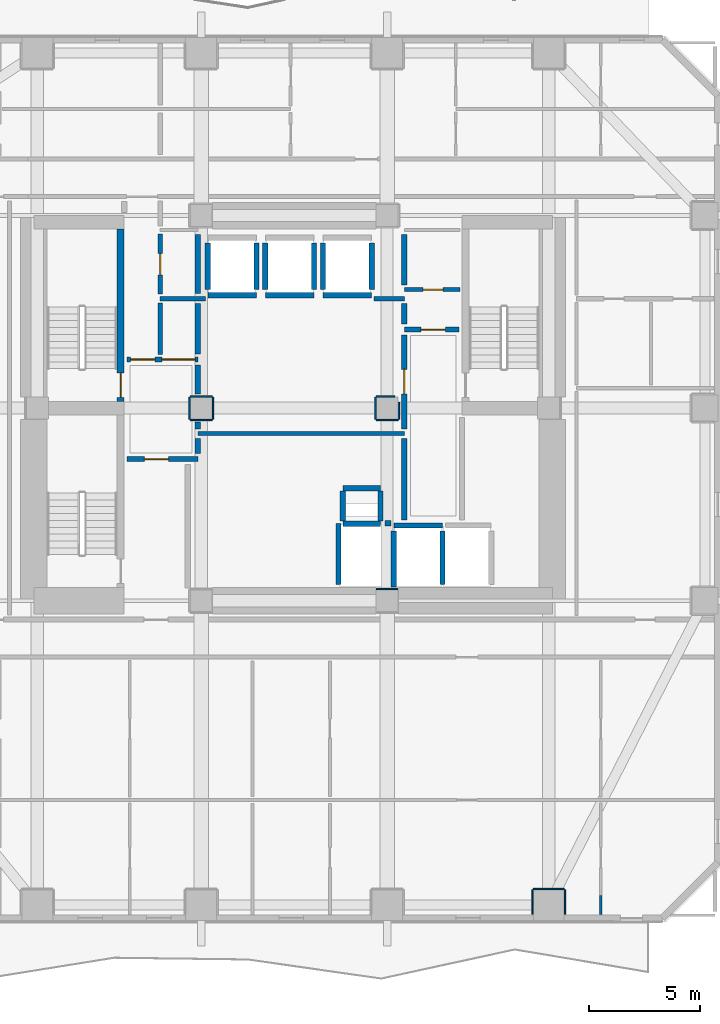
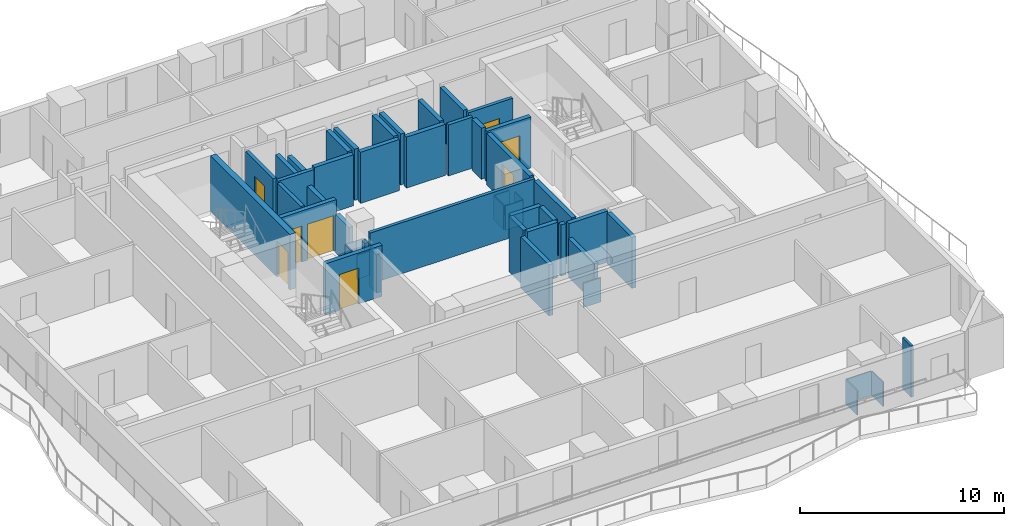
# One storey, part 4 of 11: 50 walls, 8 doors, 8 openings.
"""IFC4 building model written with IfcOpenShell, lengths in metres."""

from ifc_helpers import new_model, si_unit, direction, frame, frame_2d, origin, place, context, subcontext, project, spatial, rectangle, extrude, material, layer, layer_set, type_object, element, fill, save


model = new_model("IFC4")

# Units and contexts
model_context = context("Model", 3, precision=1e-05, world=origin(), true_north=direction((0.0, 1.0)))
body_context = subcontext(model_context, "Body", "Model", "MODEL_VIEW")
ifc_project = project(units=[si_unit("LENGTHUNIT", "METRE"), si_unit("AREAUNIT", "SQUARE_METRE"), si_unit("VOLUMEUNIT", "CUBIC_METRE"), si_unit("PLANEANGLEUNIT", "RADIAN"), si_unit("MASSUNIT", "GRAM", prefix="KILO")], contexts=[model_context])

# Site, building, storey
site_placement = place(None, origin())
site = spatial("IfcSite", under=ifc_project, at=site_placement, CompositionType="ELEMENT")
building_placement = place(site_placement, origin())
building = spatial("IfcBuilding", under=site, at=building_placement, Name="Solanera Arch Residences", CompositionType="ELEMENT")
storey_placement = place(building_placement, frame((0.0, 0.0, 35.280029296875)))
storey = spatial("IfcBuildingStorey", under=building, at=storey_placement, Name="L09", CompositionType="ELEMENT", Elevation=35.280029296875)

# Walls
ifc_material_1 = material(Name="Fire-Rated Gypsum Stud Partition", Category="gypsum")
ifc_layer_1 = layer(ifc_material_1, 0.06005859375)
ifc_layer_set_1 = layer_set([ifc_layer_1], Name="Fire-Rated Gypsum Stud Partition")
wall_type_1 = type_object("IfcWallType", Name="Column Acoustic Furring Wall 60", PredefinedType="PARTITIONING", material=ifc_layer_set_1)
wall_1_placement = place(storey_placement, frame((28.7099609375, 22.531982421875, 0.0), z_axis=(0.0, 0.0, 1.0), x_axis=(1.0, 0.0, 0.0)))
element("IfcWall", 1, at=wall_1_placement, inside=storey, type_object=wall_type_1, Name="L09 Column Furring 2N", PredefinedType="PARTITIONING", context=body_context, shape_type="SweptSolid", body=[
    extrude(rectangle(XDim=0.97998046875, YDim=0.06005859375, at=frame_2d((0.489990234375, 0.0))), origin(), (0.0, 0.0, 1.0), 1.449951171875),
])
for number, where, z_axis, x_axis, name in (
    (2, (20.300048828125, 30.16796875, 0.0), (0.0, 0.0, 1.0), (1.0, 0.0, 0.0), "L09 Column Furring 7S"),
    (3, (20.300048828125, 31.23193359375, 0.0), (0.0, 0.0, 1.0), (1.0, 0.0, 0.0), "L09 Column Furring 7N"),
    (4, (20.26806640625, 30.199951171875, 0.0), (0.0, 0.0, 1.0), (0.0, 1.0, 0.0), "L09 Column Furring 7W"),
    (5, (21.33203125, 30.199951171875, 0.0), (0.0, 0.0, 1.0), (0.0, 1.0, 0.0), "L09 Column Furring 7E"),
    (6, (28.699951171875, 30.16796875, 0.0), (0.0, 0.0, 1.0), (1.0, 0.0, 0.0), "L09 Column Furring 8S"),
):
    element("IfcWall", number, at=place(storey_placement, frame(where, z_axis=z_axis, x_axis=x_axis)), inside=storey, type_object=wall_type_1, Name=name, PredefinedType="PARTITIONING", context=body_context, shape_type="SweptSolid", body=[
        extrude(rectangle(XDim=1.0, YDim=0.06005859375, at=frame_2d((0.5, 0.0))), origin(), (0.0, 0.0, 1.0), 1.449951171875),
    ])
wall_2_placement = place(storey_placement, frame((28.699951171875, 31.23193359375, 0.0), z_axis=(0.0, 0.0, 1.0), x_axis=(1.0, 0.0, 0.0)))
element("IfcWall", 7, at=wall_2_placement, inside=storey, type_object=wall_type_1, Name="L09 Column Furring 8N", PredefinedType="PARTITIONING", context=body_context, shape_type="SweptSolid", body=[
    extrude(rectangle(XDim=0.841064453125, YDim=0.06005859375, at=frame_2d((0.42041015625, 0.0))), origin(), (0.0, 0.0, 1.0), 1.449951171875),
])
wall_3_placement = place(storey_placement, frame((28.66796875, 30.199951171875, 0.0), z_axis=(0.0, 0.0, 1.0), x_axis=(0.0, 1.0, 0.0)))
element("IfcWall", 8, at=wall_3_placement, inside=storey, type_object=wall_type_1, Name="L09 Column Furring 8W", PredefinedType="PARTITIONING", context=body_context, shape_type="SweptSolid", body=[
    extrude(rectangle(XDim=1.0, YDim=0.06005859375, at=frame_2d((0.5, 0.0))), origin(), (0.0, 0.0, 1.0), 1.449951171875),
])
wall_4_placement = place(storey_placement, frame((29.73193359375, 30.199951171875, 0.0), z_axis=(0.0, 0.0, 1.0), x_axis=(0.0, 1.0, 0.0)))
element("IfcWall", 9, at=wall_4_placement, inside=storey, type_object=wall_type_1, Name="L09 Column Furring 8E", PredefinedType="PARTITIONING", context=body_context, shape_type="SweptSolid", body=[
    extrude(rectangle(XDim=0.77197265625, YDim=0.06005859375, at=frame_2d((0.385986328125, 0.0))), origin(), (0.0, 0.0, 1.0), 1.449951171875),
])
wall_5_placement = place(storey_placement, frame((35.800048828125, 8.98193359375, 0.0), z_axis=(0.0, 0.0, 1.0), x_axis=(1.0, 0.0, 0.0)))
element("IfcWall", 10, at=wall_5_placement, inside=storey, type_object=wall_type_1, Name="L09 Column Furring 15N", PredefinedType="PARTITIONING", context=body_context, shape_type="SweptSolid", body=[
    extrude(rectangle(XDim=1.39990234375, YDim=0.06005859375, at=frame_2d((0.699951171875, 0.0))), origin(), (0.0, 0.0, 1.0), 1.449951171875),
])
for number, where, z_axis, x_axis, name in (
    (11, (35.76806640625, 7.830078125, 0.0), (0.0, 0.0, 1.0), (0.0, 1.0, 0.0), "L09 Column Furring 15W"),
    (12, (37.23193359375, 7.830078125, 0.0), (0.0, 0.0, 1.0), (0.0, 1.0, 0.0), "L09 Column Furring 15E"),
):
    element("IfcWall", number, at=place(storey_placement, frame(where, z_axis=z_axis, x_axis=x_axis)), inside=storey, type_object=wall_type_1, Name=name, PredefinedType="PARTITIONING", context=body_context, shape_type="SweptSolid", body=[
        extrude(rectangle(XDim=1.119873046875, YDim=0.06005859375, at=frame_2d((0.56005859375, 0.0))), origin(), (0.0, 0.0, 1.0), 1.449951171875),
    ])

# Wall, opening, door
ifc_material_2 = material(Name="Concrete C40/50 (f'c = 45 MPa)", Category="concrete")
ifc_layer_2 = layer(ifc_material_2, 0.320068359375)
ifc_layer_set_2 = layer_set([ifc_layer_2], Name="Concrete C40/50 (f'c = 45 MPa)")
wall_type_2 = type_object("IfcWallType", Name="Core Shear Wall CW-320", PredefinedType="SHEAR", material=ifc_layer_set_2)
wall_6_placement = place(storey_placement, frame((17.159912109375, 31.0, 0.0), z_axis=(0.0, 0.0, 1.0), x_axis=(0.0, 1.0, 0.0)))
wall_6 = element("IfcWall", 13, at=wall_6_placement, inside=storey, type_object=wall_type_2, Name="L09 Stair ST-T1 East Shear Wall", PredefinedType="SHEAR", context=body_context, shape_type="SweptSolid", body=[
    extrude(rectangle(XDim=7.800048828125, YDim=0.320068359375, at=frame_2d((3.89990234375, 0.0))), origin(), (0.0, 0.0, 1.0), 3.320068359375),
])
opening_1_placement = place(wall_6_placement, frame((0.18994140625, 0.0, 0.0)))
opening_1 = element("IfcOpeningElement", 14, at=opening_1_placement, cuts=wall_6, Name="Opening DF-01", PredefinedType="OPENING", context=body_context, shape_type="SweptSolid", body=[
    extrude(rectangle(XDim=1.10009765625, YDim=2.14990234375, at=frame_2d((0.550048828125, 1.074951171875))), frame((0.0, 0.169921875, 0.0), z_axis=(0.0, -1.0, 0.0), x_axis=(1.0, 0.0, 0.0)), (0.0, 0.0, 1.0), 0.3401),
])
ifc_material_3 = material(Name="Fire-Rated Architectural Hardwood", Category="wood")
door_type_1 = type_object("IfcDoorType", Name="Stair Exit Fire Door DF-01", OperationType="NOTDEFINED", PredefinedType="DOOR", material=ifc_material_3)
door_1_placement = place(opening_1_placement, origin())
door_1 = element("IfcDoor", 15, at=door_1_placement, inside=storey, type_object=door_type_1, Name="DR-L09-STAIR-ST-T1", OperationType="SINGLE_SWING_RIGHT", OverallHeight=2.14990234375, OverallWidth=1.10009765625, PredefinedType="DOOR", context=body_context, shape_type="SweptSolid", body=[
    extrude(rectangle(XDim=1.10009765625, YDim=2.14990234375, at=frame_2d((0.550048828125, 1.074951171875))), frame((0.0, 0.02490234375, 0.0), z_axis=(0.0, -1.0, 0.0), x_axis=(1.0, 0.0, 0.0)), (0.0, 0.0, 1.0), 0.050048828125),
])
fill(opening_1, door_1)

# Wall
ifc_material_4 = material(Name="Autoclaved Aerated Concrete Blockwork", Category="masonry")
ifc_layer_3 = layer(ifc_material_4, 0.179931640625)
ifc_layer_set_3 = layer_set([ifc_layer_3], Name="Autoclaved Aerated Concrete Blockwork")
wall_type_3 = type_object("IfcWallType", Name="Corridor Fire Partition 180", PredefinedType="PARTITIONING", material=ifc_layer_set_3)
wall_7_placement = place(storey_placement, frame((20.64990234375, 29.550048828125, 0.0), z_axis=(0.0, 0.0, 1.0), x_axis=(1.0, 0.0, 0.0)))
element("IfcWall", 16, at=wall_7_placement, inside=storey, type_object=wall_type_3, Name="L09 Interior Partition H9", PredefinedType="PARTITIONING", context=body_context, shape_type="SweptSolid", body=[
    extrude(rectangle(XDim=9.3251953125, YDim=0.179931640625, at=frame_2d((4.66259765625, 0.0))), origin(), (0.0, 0.0, 1.0), 3.06005859375),
])

# Wall, opening, door
wall_8_placement = place(storey_placement, frame((29.97509765625, 36.050048828125, 0.0), z_axis=(0.0, 0.0, 1.0), x_axis=(1.0, 0.0, 0.0)))
wall_8 = element("IfcWall", 17, at=wall_8_placement, inside=storey, type_object=wall_type_3, Name="L09 Interior Partition H10", PredefinedType="PARTITIONING", context=body_context, shape_type="SweptSolid", body=[
    extrude(rectangle(XDim=2.5048828125, YDim=0.179931640625, at=frame_2d((1.25244140625, 0.0))), origin(), (0.0, 0.0, 1.0), 3.06005859375),
])
opening_2_placement = place(wall_8_placement, frame((0.85205078125, 0.0, 0.0)))
opening_2 = element("IfcOpeningElement", 18, at=opening_2_placement, cuts=wall_8, Name="Opening DI-02", PredefinedType="OPENING", context=body_context, shape_type="SweptSolid", body=[
    extrude(rectangle(XDim=0.89990234375, YDim=2.10009765625, at=frame_2d((0.449951171875, 1.050048828125))), frame((0.0, 0.10009765625, 0.0), z_axis=(0.0, -1.0, 0.0), x_axis=(1.0, 0.0, 0.0)), (0.0, 0.0, 1.0), 0.1999),
])
ifc_material_5 = material(Name="Fire-Rated Architectural Hardwood", Category="wood")
door_type_2 = type_object("IfcDoorType", Name="Suite Room Swing Door DI-02", OperationType="NOTDEFINED", PredefinedType="DOOR", material=ifc_material_5)
door_2_placement = place(opening_2_placement, origin())
door_2 = element("IfcDoor", 19, at=door_2_placement, inside=storey, type_object=door_type_2, Name="DR-L09-IN-013", OperationType="SINGLE_SWING_RIGHT", OverallHeight=2.10009765625, OverallWidth=0.89990234375, PredefinedType="DOOR", context=body_context, shape_type="SweptSolid", body=[
    extrude(rectangle(XDim=0.89990234375, YDim=2.10009765625, at=frame_2d((0.449951171875, 1.050048828125))), frame((0.0, 0.02490234375, 0.0), z_axis=(0.0, -1.0, 0.0), x_axis=(1.0, 0.0, 0.0)), (0.0, 0.0, 1.0), 0.050048828125),
])
fill(opening_2, door_2)

# Walls
ifc_material_6 = material(Name="Autoclaved Aerated Concrete Blockwork", Category="masonry")
ifc_layer_4 = layer(ifc_material_6, 0.199951171875)
ifc_layer_set_4 = layer_set([ifc_layer_4], Name="Autoclaved Aerated Concrete Blockwork")
wall_type_4 = type_object("IfcWallType", Name="Party Wall Acoustic 200", PredefinedType="PARTITIONING", material=ifc_layer_set_4)
wall_9_placement = place(storey_placement, frame((18.949951171875, 35.64990234375, 0.0), z_axis=(0.0, 0.0, 1.0), x_axis=(1.0, 0.0, 0.0)))
element("IfcWall", 20, at=wall_9_placement, inside=storey, type_object=wall_type_4, Name="L09 Interior Partition H6 1", PredefinedType="PARTITIONING", context=body_context, shape_type="SweptSolid", body=[
    extrude(rectangle(XDim=2.046142578125, YDim=0.199951171875, at=frame_2d((1.02294921875, 0.0))), origin(), (0.0, 0.0, 1.0), 3.06005859375),
])
wall_10_placement = place(storey_placement, frame((28.60400390625, 35.64990234375, 0.0), z_axis=(0.0, 0.0, 1.0), x_axis=(1.0, 0.0, 0.0)))
element("IfcWall", 21, at=wall_10_placement, inside=storey, type_object=wall_type_4, Name="L09 Interior Partition H6 2", PredefinedType="PARTITIONING", context=body_context, shape_type="SweptSolid", body=[
    extrude(rectangle(XDim=1.37109375, YDim=0.199951171875, at=frame_2d((0.685546875, 0.0))), origin(), (0.0, 0.0, 1.0), 3.06005859375),
])
wall_11_placement = place(storey_placement, frame((18.949951171875, 33.1279296875, 0.0), z_axis=(0.0, 0.0, 1.0), x_axis=(0.0, 1.0, 0.0)))
element("IfcWall", 22, at=wall_11_placement, inside=storey, type_object=wall_type_4, Name="L09 Interior Partition V6 1", PredefinedType="PARTITIONING", context=body_context, shape_type="SweptSolid", body=[
    extrude(rectangle(XDim=2.31396484375, YDim=0.199951171875, at=frame_2d((1.156982421875, 0.0))), origin(), (0.0, 0.0, 1.0), 3.06005859375),
])

# Wall, opening, door
wall_12_placement = place(storey_placement, frame((18.949951171875, 35.85791015625, 0.0), z_axis=(0.0, 0.0, 1.0), x_axis=(0.0, 1.0, 0.0)))
wall_12 = element("IfcWall", 23, at=wall_12_placement, inside=storey, type_object=wall_type_4, Name="L09 Interior Partition V6 2", PredefinedType="PARTITIONING", context=body_context, shape_type="SweptSolid", body=[
    extrude(rectangle(XDim=2.714111328125, YDim=0.199951171875, at=frame_2d((1.35693359375, 0.0))), origin(), (0.0, 0.0, 1.0), 3.06005859375),
])
opening_3_placement = place(wall_12_placement, frame((0.866943359375, 0.0, 0.0)))
opening_3 = element("IfcOpeningElement", 24, at=opening_3_placement, cuts=wall_12, Name="Opening DI-04", PredefinedType="OPENING", context=body_context, shape_type="SweptSolid", body=[
    extrude(rectangle(XDim=0.949951171875, YDim=2.10009765625, at=frame_2d((0.47509765625, 1.050048828125))), frame((0.0, 0.110107421875, 0.0), z_axis=(0.0, -1.0, 0.0), x_axis=(1.0, 0.0, 0.0)), (0.0, 0.0, 1.0), 0.22),
])
ifc_material_7 = material(Name="Fire-Rated Architectural Hardwood", Category="wood")
door_type_3 = type_object("IfcDoorType", Name="Accessible Restroom Door DI-04", OperationType="NOTDEFINED", PredefinedType="DOOR", material=ifc_material_7)
door_3_placement = place(opening_3_placement, origin())
door_3 = element("IfcDoor", 25, at=door_3_placement, inside=storey, type_object=door_type_3, Name="DR-L09-IN-014", OperationType="SINGLE_SWING_LEFT", OverallHeight=2.10009765625, OverallWidth=0.949951171875, PredefinedType="DOOR", context=body_context, shape_type="SweptSolid", body=[
    extrude(rectangle(XDim=0.949951171875, YDim=2.10009765625, at=frame_2d((0.47509765625, 1.050048828125))), frame((0.0, 0.02490234375, 0.0), z_axis=(0.0, -1.0, 0.0), x_axis=(1.0, 0.0, 0.0)), (0.0, 0.0, 1.0), 0.050048828125),
])
fill(opening_3, door_3)

# Walls
ifc_material_8 = material(Name="Concrete C40/50 (f'c = 45 MPa)", Category="concrete")
ifc_layer_5 = layer(ifc_material_8, 0.239990234375)
ifc_layer_set_5 = layer_set([ifc_layer_5], Name="Concrete C40/50 (f'c = 45 MPa)")
wall_type_5 = type_object("IfcWallType", Name="Ramp Bearing Shear Wall RW-240", PredefinedType="SHEAR", material=ifc_layer_set_5)
for number, where, z_axis, x_axis, name in (
    (26, (27.199951171875, 25.47998046875, 0.0), (0.0, 0.0, 1.0), (1.0, 0.0, 0.0), "L09 Core MEP Riser South Shaft Wall"),
    (27, (27.199951171875, 27.080078125, 0.0), (0.0, 0.0, 1.0), (1.0, 0.0, 0.0), "L09 Core MEP Riser North Shaft Wall"),
):
    element("IfcWall", number, at=place(storey_placement, frame(where, z_axis=z_axis, x_axis=x_axis)), inside=storey, type_object=wall_type_5, Name=name, PredefinedType="SHEAR", context=body_context, shape_type="SweptSolid", body=[
        extrude(rectangle(XDim=1.699951171875, YDim=0.239990234375, at=frame_2d((0.85009765625, 0.0))), origin(), (0.0, 0.0, 1.0), 3.320068359375),
    ])
for number, where, z_axis, x_axis, name in (
    (28, (27.199951171875, 25.60009765625, 0.0), (0.0, 0.0, 1.0), (0.0, 1.0, 0.0), "L09 Core MEP Riser West Shaft Wall"),
    (29, (28.89990234375, 25.60009765625, 0.0), (0.0, 0.0, 1.0), (0.0, 1.0, 0.0), "L09 Core MEP Riser East Shaft Wall"),
):
    element("IfcWall", number, at=place(storey_placement, frame(where, z_axis=z_axis, x_axis=x_axis)), inside=storey, type_object=wall_type_5, Name=name, PredefinedType="SHEAR", context=body_context, shape_type="SweptSolid", body=[
        extrude(rectangle(XDim=1.35986328125, YDim=0.239990234375, at=frame_2d((0.679931640625, 0.0))), origin(), (0.0, 0.0, 1.0), 3.320068359375),
    ])
ifc_material_9 = material(Name="Autoclaved Aerated Concrete Blockwork", Category="masonry")
ifc_layer_6 = layer(ifc_material_9, 0.239990234375)
ifc_layer_set_6 = layer_set([ifc_layer_6], Name="Autoclaved Aerated Concrete Blockwork")
wall_type_6 = type_object("IfcWallType", Name="Shaft Wall Fire-Rated 240", PredefinedType="PARTITIONING", material=ifc_layer_set_6)
wall_13_placement = place(storey_placement, frame((21.10009765625, 35.800048828125, 0.0), z_axis=(0.0, 0.0, 1.0), x_axis=(1.0, 0.0, 0.0)))
element("IfcWall", 30, at=wall_13_placement, inside=storey, type_object=wall_type_6, Name="L09 Lift PL-L1 Hoistway Wall S", PredefinedType="PARTITIONING", context=body_context, shape_type="SweptSolid", body=[
    extrude(rectangle(XDim=2.199951171875, YDim=0.239990234375, at=frame_2d((1.10009765625, 0.0))), origin(), (0.0, 0.0, 1.0), 3.06005859375),
])
wall_14_placement = place(storey_placement, frame((21.10009765625, 36.048095703125, 0.0), z_axis=(0.0, 0.0, 1.0), x_axis=(0.0, 1.0, 0.0)))
element("IfcWall", 31, at=wall_14_placement, inside=storey, type_object=wall_type_6, Name="L09 Lift PL-L1 Hoistway Wall W", PredefinedType="PARTITIONING", context=body_context, shape_type="SweptSolid", body=[
    extrude(rectangle(XDim=2.10400390625, YDim=0.239990234375, at=frame_2d((1.052001953125, 0.0))), origin(), (0.0, 0.0, 1.0), 2.294921875),
])
wall_15_placement = place(storey_placement, frame((23.300048828125, 36.048095703125, 0.0), z_axis=(0.0, 0.0, 1.0), x_axis=(0.0, 1.0, 0.0)))
element("IfcWall", 32, at=wall_15_placement, inside=storey, type_object=wall_type_6, Name="L09 Lift PL-L1 Hoistway Wall E", PredefinedType="PARTITIONING", context=body_context, shape_type="SweptSolid", body=[
    extrude(rectangle(XDim=2.10400390625, YDim=0.239990234375, at=frame_2d((1.052001953125, 0.0))), origin(), (0.0, 0.0, 1.0), 3.06005859375),
])
wall_16_placement = place(storey_placement, frame((23.699951171875, 35.800048828125, 0.0), z_axis=(0.0, 0.0, 1.0), x_axis=(1.0, 0.0, 0.0)))
element("IfcWall", 33, at=wall_16_placement, inside=storey, type_object=wall_type_6, Name="L09 Lift PL-L2 Hoistway Wall S", PredefinedType="PARTITIONING", context=body_context, shape_type="SweptSolid", body=[
    extrude(rectangle(XDim=2.199951171875, YDim=0.239990234375, at=frame_2d((1.10009765625, 0.0))), origin(), (0.0, 0.0, 1.0), 3.06005859375),
])
for number, where, z_axis, x_axis, name in (
    (34, (23.699951171875, 36.048095703125, 0.0), (0.0, 0.0, 1.0), (0.0, 1.0, 0.0), "L09 Lift PL-L2 Hoistway Wall W"),
    (35, (25.89990234375, 36.048095703125, 0.0), (0.0, 0.0, 1.0), (0.0, 1.0, 0.0), "L09 Lift PL-L2 Hoistway Wall E"),
):
    element("IfcWall", number, at=place(storey_placement, frame(where, z_axis=z_axis, x_axis=x_axis)), inside=storey, type_object=wall_type_6, Name=name, PredefinedType="PARTITIONING", context=body_context, shape_type="SweptSolid", body=[
        extrude(rectangle(XDim=2.10400390625, YDim=0.239990234375, at=frame_2d((1.052001953125, 0.0))), origin(), (0.0, 0.0, 1.0), 3.06005859375),
    ])
wall_17_placement = place(storey_placement, frame((26.300048828125, 35.800048828125, 0.0), z_axis=(0.0, 0.0, 1.0), x_axis=(1.0, 0.0, 0.0)))
element("IfcWall", 36, at=wall_17_placement, inside=storey, type_object=wall_type_6, Name="L09 Lift PL-L3 Hoistway Wall S", PredefinedType="PARTITIONING", context=body_context, shape_type="SweptSolid", body=[
    extrude(rectangle(XDim=2.199951171875, YDim=0.239990234375, at=frame_2d((1.10009765625, 0.0))), origin(), (0.0, 0.0, 1.0), 3.06005859375),
])
for number, where, z_axis, x_axis, name in (
    (37, (26.300048828125, 36.048095703125, 0.0), (0.0, 0.0, 1.0), (0.0, 1.0, 0.0), "L09 Lift PL-L3 Hoistway Wall W"),
    (38, (28.5, 36.048095703125, 0.0), (0.0, 0.0, 1.0), (0.0, 1.0, 0.0), "L09 Lift PL-L3 Hoistway Wall E"),
):
    element("IfcWall", number, at=place(storey_placement, frame(where, z_axis=z_axis, x_axis=x_axis)), inside=storey, type_object=wall_type_6, Name=name, PredefinedType="PARTITIONING", context=body_context, shape_type="SweptSolid", body=[
        extrude(rectangle(XDim=2.10400390625, YDim=0.239990234375, at=frame_2d((1.052001953125, 0.0))), origin(), (0.0, 0.0, 1.0), 3.06005859375),
    ])
wall_18_placement = place(storey_placement, frame((29.5, 25.39990234375, 0.0), z_axis=(0.0, 0.0, 1.0), x_axis=(1.0, 0.0, 0.0)))
element("IfcWall", 39, at=wall_18_placement, inside=storey, type_object=wall_type_6, Name="L09 Lift FFL-1 Hoistway Wall N", PredefinedType="PARTITIONING", context=body_context, shape_type="SweptSolid", body=[
    extrude(rectangle(XDim=2.199951171875, YDim=0.239990234375, at=frame_2d((1.10009765625, 0.0))), origin(), (0.0, 0.0, 1.0), 3.06005859375),
])
wall_19_placement = place(storey_placement, frame((29.5, 22.632080078125, 0.0), z_axis=(0.0, 0.0, 1.0), x_axis=(0.0, 1.0, 0.0)))
element("IfcWall", 40, at=wall_19_placement, inside=storey, type_object=wall_type_6, Name="L09 Lift FFL-1 Hoistway Wall W", PredefinedType="PARTITIONING", context=body_context, shape_type="SweptSolid", body=[
    extrude(rectangle(XDim=2.52001953125, YDim=0.239990234375, at=frame_2d((1.260009765625, 0.0))), origin(), (0.0, 0.0, 1.0), 2.294921875),
])
wall_20_placement = place(storey_placement, frame((31.699951171875, 22.72998046875, 0.0), z_axis=(0.0, 0.0, 1.0), x_axis=(0.0, 1.0, 0.0)))
element("IfcWall", 41, at=wall_20_placement, inside=storey, type_object=wall_type_6, Name="L09 Lift FFL-1 Hoistway Wall E", PredefinedType="PARTITIONING", context=body_context, shape_type="SweptSolid", body=[
    extrude(rectangle(XDim=2.422119140625, YDim=0.239990234375, at=frame_2d((1.2109375, 0.0))), origin(), (0.0, 0.0, 1.0), 3.06005859375),
])
wall_21_placement = place(storey_placement, frame((29.10302734375, 25.5, 0.0), z_axis=(0.0, 0.0, 1.0), x_axis=(1.0, 0.0, 0.0)))
element("IfcWall", 42, at=wall_21_placement, inside=storey, type_object=wall_type_6, Name="L09 Lift SVL-1 Hoistway Wall N", PredefinedType="PARTITIONING", context=body_context, shape_type="SweptSolid", body=[
    extrude(rectangle(XDim=0.26904296875, YDim=0.239990234375, at=frame_2d((0.134521484375, 0.0))), origin(), (0.0, 0.0, 1.0), 3.06005859375),
])
wall_22_placement = place(storey_placement, frame((27.0, 22.72998046875, 0.0), z_axis=(0.0, 0.0, 1.0), x_axis=(0.0, 1.0, 0.0)))
element("IfcWall", 43, at=wall_22_placement, inside=storey, type_object=wall_type_6, Name="L09 Lift SVL-1 Hoistway Wall W", PredefinedType="PARTITIONING", context=body_context, shape_type="SweptSolid", body=[
    extrude(rectangle(XDim=2.76806640625, YDim=0.239990234375, at=frame_2d((1.384033203125, 0.0))), origin(), (0.0, 0.0, 1.0), 3.06005859375),
])

# Wall, opening, door
wall_23_placement = place(storey_placement, frame((17.449951171875, 28.39990234375, 0.0), z_axis=(0.0, 0.0, 1.0), x_axis=(1.0, 0.0, 0.0)))
wall_23 = element("IfcWall", 44, at=wall_23_placement, inside=storey, type_object=wall_type_6, Name="L09 Interior Partition H3", PredefinedType="PARTITIONING", context=body_context, shape_type="SweptSolid", body=[
    extrude(rectangle(XDim=3.199951171875, YDim=0.239990234375, at=frame_2d((1.60009765625, 0.0))), origin(), (0.0, 0.0, 1.0), 3.06005859375),
])
opening_4_placement = place(wall_23_placement, frame((0.783935546875, 0.0, 0.0)))
opening_4 = element("IfcOpeningElement", 45, at=opening_4_placement, cuts=wall_23, Name="Opening DF-02", PredefinedType="OPENING", context=body_context, shape_type="SweptSolid", body=[
    extrude(rectangle(XDim=1.10009765625, YDim=2.14990234375, at=frame_2d((0.550048828125, 1.074951171875))), frame((0.0, 0.1298828125, 0.0), z_axis=(0.0, -1.0, 0.0), x_axis=(1.0, 0.0, 0.0)), (0.0, 0.0, 1.0), 0.26),
])
ifc_material_10 = material(Name="Fire-Rated Architectural Hardwood", Category="wood")
door_type_4 = type_object("IfcDoorType", Name="Firefighting Lobby Fire Door DF-02", OperationType="NOTDEFINED", PredefinedType="DOOR", material=ifc_material_10)
door_4_placement = place(opening_4_placement, origin())
door_4 = element("IfcDoor", 46, at=door_4_placement, inside=storey, type_object=door_type_4, Name="DR-L09-IN-004", OperationType="SINGLE_SWING_LEFT", OverallHeight=2.14990234375, OverallWidth=1.10009765625, PredefinedType="DOOR", context=body_context, shape_type="SweptSolid", body=[
    extrude(rectangle(XDim=1.10009765625, YDim=2.14990234375, at=frame_2d((0.550048828125, 1.074951171875))), frame((0.0, 0.02490234375, 0.0), z_axis=(0.0, -1.0, 0.0), x_axis=(1.0, 0.0, 0.0)), (0.0, 0.0, 1.0), 0.050048828125),
])
fill(opening_4, door_4)

# Wall, openings, doors
wall_24_placement = place(storey_placement, frame((17.449951171875, 32.89990234375, 0.0), z_axis=(0.0, 0.0, 1.0), x_axis=(1.0, 0.0, 0.0)))
wall_24 = element("IfcWall", 47, at=wall_24_placement, inside=storey, type_object=wall_type_6, Name="L09 Interior Partition H4", PredefinedType="PARTITIONING", context=body_context, shape_type="SweptSolid", body=[
    extrude(rectangle(XDim=3.199951171875, YDim=0.239990234375, at=frame_2d((1.60009765625, 0.0))), origin(), (0.0, 0.0, 1.0), 3.06005859375),
])
opening_5_placement = place(wall_24_placement, frame((0.158935546875, 0.0, 0.0)))
opening_5 = element("IfcOpeningElement", 48, at=opening_5_placement, cuts=wall_24, Name="Opening DF-02", PredefinedType="OPENING", context=body_context, shape_type="SweptSolid", body=[
    extrude(rectangle(XDim=1.10009765625, YDim=2.14990234375, at=frame_2d((0.550048828125, 1.074951171875))), frame((0.0, 0.1298828125, 0.0), z_axis=(0.0, -1.0, 0.0), x_axis=(1.0, 0.0, 0.0)), (0.0, 0.0, 1.0), 0.26),
])
opening_6_placement = place(wall_24_placement, frame((1.575927734375, 0.0, 0.0)))
opening_6 = element("IfcOpeningElement", 49, at=opening_6_placement, cuts=wall_24, Name="Opening DP-01", PredefinedType="OPENING", context=body_context, shape_type="SweptSolid", body=[
    extrude(rectangle(XDim=1.5, YDim=2.14990234375, at=frame_2d((0.75, 1.074951171875))), frame((0.0, 0.1298828125, 0.0), z_axis=(0.0, -1.0, 0.0), x_axis=(1.0, 0.0, 0.0)), (0.0, 0.0, 1.0), 0.26),
])
door_5_placement = place(opening_5_placement, origin())
door_5 = element("IfcDoor", 50, at=door_5_placement, inside=storey, type_object=door_type_4, Name="DR-L09-IN-005", OperationType="SINGLE_SWING_RIGHT", OverallHeight=2.14990234375, OverallWidth=1.10009765625, PredefinedType="DOOR", context=body_context, shape_type="SweptSolid", body=[
    extrude(rectangle(XDim=1.10009765625, YDim=2.14990234375, at=frame_2d((0.550048828125, 1.074951171875))), frame((0.0, 0.02490234375, 0.0), z_axis=(0.0, -1.0, 0.0), x_axis=(1.0, 0.0, 0.0)), (0.0, 0.0, 1.0), 0.050048828125),
])
fill(opening_5, door_5)
ifc_material_11 = material(Name="Fire-Rated Architectural Hardwood", Category="wood")
door_type_5 = type_object("IfcDoorType", Name="Plant Double Fire Door DP-01", OperationType="NOTDEFINED", PredefinedType="DOOR", material=ifc_material_11)
door_6_placement = place(opening_6_placement, origin())
door_6 = element("IfcDoor", 51, at=door_6_placement, inside=storey, type_object=door_type_5, Name="DR-L09-IN-012", OperationType="SINGLE_SWING_LEFT", OverallHeight=2.14990234375, OverallWidth=1.5, PredefinedType="DOOR", context=body_context, shape_type="SweptSolid", body=[
    extrude(rectangle(XDim=1.5, YDim=2.14990234375, at=frame_2d((0.75, 1.074951171875))), frame((0.0, 0.02490234375, 0.0), z_axis=(0.0, -1.0, 0.0), x_axis=(1.0, 0.0, 0.0)), (0.0, 0.0, 1.0), 0.050048828125),
])
fill(opening_6, door_6)

# Wall, opening, door
wall_25_placement = place(storey_placement, frame((29.97509765625, 34.25, 0.0), z_axis=(0.0, 0.0, 1.0), x_axis=(1.0, 0.0, 0.0)))
wall_25 = element("IfcWall", 52, at=wall_25_placement, inside=storey, type_object=wall_type_6, Name="L09 Interior Partition H5", PredefinedType="PARTITIONING", context=body_context, shape_type="SweptSolid", body=[
    extrude(rectangle(XDim=2.474853515625, YDim=0.239990234375, at=frame_2d((1.2373046875, 0.0))), origin(), (0.0, 0.0, 1.0), 3.06005859375),
])
opening_7_placement = place(wall_25_placement, frame((0.751953125, 0.0, 0.0)))
opening_7 = element("IfcOpeningElement", 53, at=opening_7_placement, cuts=wall_25, Name="Opening DF-02", PredefinedType="OPENING", context=body_context, shape_type="SweptSolid", body=[
    extrude(rectangle(XDim=1.10009765625, YDim=2.14990234375, at=frame_2d((0.550048828125, 1.074951171875))), frame((0.0, 0.1298828125, 0.0), z_axis=(0.0, -1.0, 0.0), x_axis=(1.0, 0.0, 0.0)), (0.0, 0.0, 1.0), 0.26),
])
door_7_placement = place(opening_7_placement, origin())
door_7 = element("IfcDoor", 54, at=door_7_placement, inside=storey, type_object=door_type_4, Name="DR-L09-IN-007", OperationType="SINGLE_SWING_RIGHT", OverallHeight=2.14990234375, OverallWidth=1.10009765625, PredefinedType="DOOR", context=body_context, shape_type="SweptSolid", body=[
    extrude(rectangle(XDim=1.10009765625, YDim=2.14990234375, at=frame_2d((0.550048828125, 1.074951171875))), frame((0.0, 0.02490234375, 0.0), z_axis=(0.0, -1.0, 0.0), x_axis=(1.0, 0.0, 0.0)), (0.0, 0.0, 1.0), 0.050048828125),
])
fill(opening_7, door_7)

# Walls
wall_26_placement = place(storey_placement, frame((20.64990234375, 28.64794921875, 0.0), z_axis=(0.0, 0.0, 1.0), x_axis=(0.0, 1.0, 0.0)))
element("IfcWall", 55, at=wall_26_placement, inside=storey, type_object=wall_type_6, Name="L09 Interior Partition V3 1", PredefinedType="PARTITIONING", context=body_context, shape_type="SweptSolid", body=[
    extrude(rectangle(XDim=0.68408203125, YDim=0.239990234375, at=frame_2d((0.342041015625, 0.0))), origin(), (0.0, 0.0, 1.0), 2.294921875),
])
wall_27_placement = place(storey_placement, frame((20.64990234375, 29.76806640625, 0.0), z_axis=(0.0, 0.0, 1.0), x_axis=(0.0, 1.0, 0.0)))
element("IfcWall", 56, at=wall_27_placement, inside=storey, type_object=wall_type_6, Name="L09 Interior Partition V3 2", PredefinedType="PARTITIONING", context=body_context, shape_type="SweptSolid", body=[
    extrude(rectangle(XDim=0.300048828125, YDim=0.239990234375, at=frame_2d((0.14990234375, 0.0))), origin(), (0.0, 0.0, 1.0), 2.294921875),
])
wall_28_placement = place(storey_placement, frame((20.64990234375, 31.33203125, 0.0), z_axis=(0.0, 0.0, 1.0), x_axis=(0.0, 1.0, 0.0)))
element("IfcWall", 57, at=wall_28_placement, inside=storey, type_object=wall_type_6, Name="L09 Interior Partition V3 3", PredefinedType="PARTITIONING", context=body_context, shape_type="SweptSolid", body=[
    extrude(rectangle(XDim=1.320068359375, YDim=0.239990234375, at=frame_2d((0.66015625, 0.0))), origin(), (0.0, 0.0, 1.0), 2.294921875),
])
wall_29_placement = place(storey_placement, frame((20.64990234375, 33.14794921875, 0.0), z_axis=(0.0, 0.0, 1.0), x_axis=(0.0, 1.0, 0.0)))
element("IfcWall", 58, at=wall_29_placement, inside=storey, type_object=wall_type_6, Name="L09 Interior Partition V3 4", PredefinedType="PARTITIONING", context=body_context, shape_type="SweptSolid", body=[
    extrude(rectangle(XDim=2.274169921875, YDim=0.239990234375, at=frame_2d((1.13720703125, 0.0))), origin(), (0.0, 0.0, 1.0), 2.294921875),
])
wall_30_placement = place(storey_placement, frame((20.64990234375, 35.8779296875, 0.0), z_axis=(0.0, 0.0, 1.0), x_axis=(0.0, 1.0, 0.0)))
element("IfcWall", 59, at=wall_30_placement, inside=storey, type_object=wall_type_6, Name="L09 Interior Partition V3 5", PredefinedType="PARTITIONING", context=body_context, shape_type="SweptSolid", body=[
    extrude(rectangle(XDim=2.674072265625, YDim=0.239990234375, at=frame_2d((1.3369140625, 0.0))), origin(), (0.0, 0.0, 1.0), 2.294921875),
])
wall_31_placement = place(storey_placement, frame((29.97509765625, 25.64794921875, 0.0), z_axis=(0.0, 0.0, 1.0), x_axis=(0.0, 1.0, 0.0)))
element("IfcWall", 60, at=wall_31_placement, inside=storey, type_object=wall_type_6, Name="L09 Interior Partition V4 1", PredefinedType="PARTITIONING", context=body_context, shape_type="SweptSolid", body=[
    extrude(rectangle(XDim=3.68408203125, YDim=0.239990234375, at=frame_2d((1.842041015625, 0.0))), origin(), (0.0, 0.0, 1.0), 3.06005859375),
])

# Wall, opening, door
wall_32_placement = place(storey_placement, frame((29.97509765625, 29.76806640625, 0.0), z_axis=(0.0, 0.0, 1.0), x_axis=(0.0, 1.0, 0.0)))
wall_32 = element("IfcWall", 61, at=wall_32_placement, inside=storey, type_object=wall_type_6, Name="L09 Interior Partition V4 2", PredefinedType="PARTITIONING", context=body_context, shape_type="SweptSolid", body=[
    extrude(rectangle(XDim=4.23388671875, YDim=0.239990234375, at=frame_2d((2.116943359375, 0.0))), origin(), (0.0, 0.0, 1.0), 3.06005859375),
])
opening_8_placement = place(wall_32_placement, frame((1.58203125, 0.0, 0.0)))
opening_8 = element("IfcOpeningElement", 62, at=opening_8_placement, cuts=wall_32, Name="Opening DF-02", PredefinedType="OPENING", context=body_context, shape_type="SweptSolid", body=[
    extrude(rectangle(XDim=1.10009765625, YDim=2.14990234375, at=frame_2d((0.550048828125, 1.074951171875))), frame((0.0, 0.1298828125, 0.0), z_axis=(0.0, -1.0, 0.0), x_axis=(1.0, 0.0, 0.0)), (0.0, 0.0, 1.0), 0.26),
])
door_8_placement = place(opening_8_placement, origin())
door_8 = element("IfcDoor", 63, at=door_8_placement, inside=storey, type_object=door_type_4, Name="DR-L09-IN-006", OperationType="SINGLE_SWING_LEFT", OverallHeight=2.14990234375, OverallWidth=1.10009765625, PredefinedType="DOOR", context=body_context, shape_type="SweptSolid", body=[
    extrude(rectangle(XDim=1.10009765625, YDim=2.14990234375, at=frame_2d((0.550048828125, 1.074951171875))), frame((0.0, 0.02490234375, 0.0), z_axis=(0.0, -1.0, 0.0), x_axis=(1.0, 0.0, 0.0)), (0.0, 0.0, 1.0), 0.050048828125),
])
fill(opening_8, door_8)

# Walls
wall_33_placement = place(storey_placement, frame((29.97509765625, 34.498046875, 0.0), z_axis=(0.0, 0.0, 1.0), x_axis=(0.0, 1.0, 0.0)))
element("IfcWall", 64, at=wall_33_placement, inside=storey, type_object=wall_type_6, Name="L09 Interior Partition V4 3", PredefinedType="PARTITIONING", context=body_context, shape_type="SweptSolid", body=[
    extrude(rectangle(XDim=0.924072265625, YDim=0.239990234375, at=frame_2d((0.4619140625, 0.0))), origin(), (0.0, 0.0, 1.0), 3.06005859375),
])
wall_34_placement = place(storey_placement, frame((29.97509765625, 36.26806640625, 0.0), z_axis=(0.0, 0.0, 1.0), x_axis=(0.0, 1.0, 0.0)))
element("IfcWall", 65, at=wall_34_placement, inside=storey, type_object=wall_type_6, Name="L09 Interior Partition V4 4", PredefinedType="PARTITIONING", context=body_context, shape_type="SweptSolid", body=[
    extrude(rectangle(XDim=2.283935546875, YDim=0.239990234375, at=frame_2d((1.14208984375, 0.0))), origin(), (0.0, 0.0, 1.0), 3.06005859375),
])
ifc_material_12 = material(Name="Fire-Rated Gypsum Stud Partition", Category="gypsum")
ifc_layer_7 = layer(ifc_material_12, 0.1201171875)
ifc_layer_set_7 = layer_set([ifc_layer_7], Name="Fire-Rated Gypsum Stud Partition")
wall_type_7 = type_object("IfcWallType", Name="Unit Drywall Partition 120", PredefinedType="PARTITIONING", material=ifc_layer_set_7)
wall_35_placement = place(storey_placement, frame((38.85498046875, 7.826904296875, 0.0), z_axis=(0.0, 0.0, 1.0), x_axis=(0.0, 1.0, 0.0)))
element("IfcWall", 66, at=wall_35_placement, inside=storey, type_object=wall_type_7, Name="L09 Interior Partition V27 1", PredefinedType="PARTITIONING", context=body_context, shape_type="SweptSolid", body=[
    extrude(rectangle(XDim=0.864013671875, YDim=0.1201171875, at=frame_2d((0.43212890625, 0.0))), origin(), (0.0, 0.0, 1.0), 3.06005859375),
])

save(model, "model.ifc")
